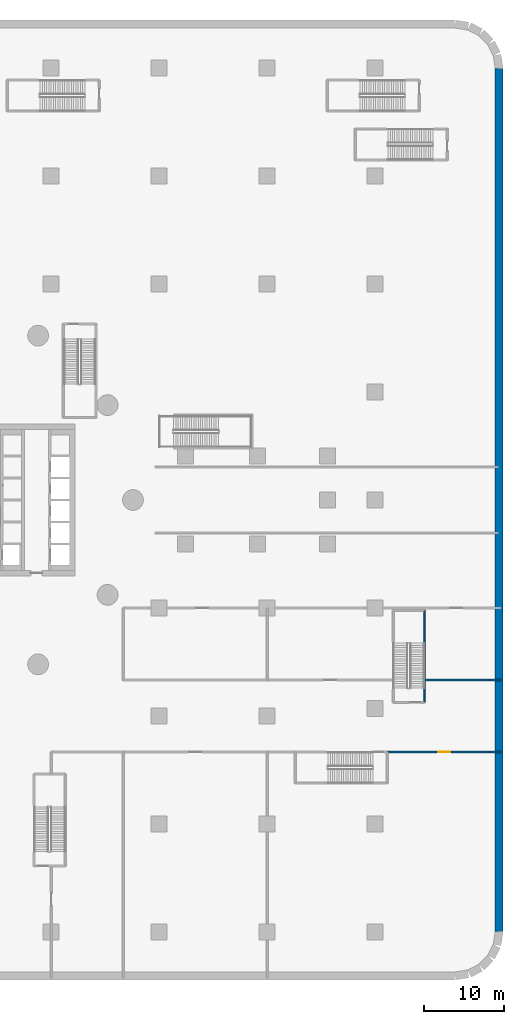
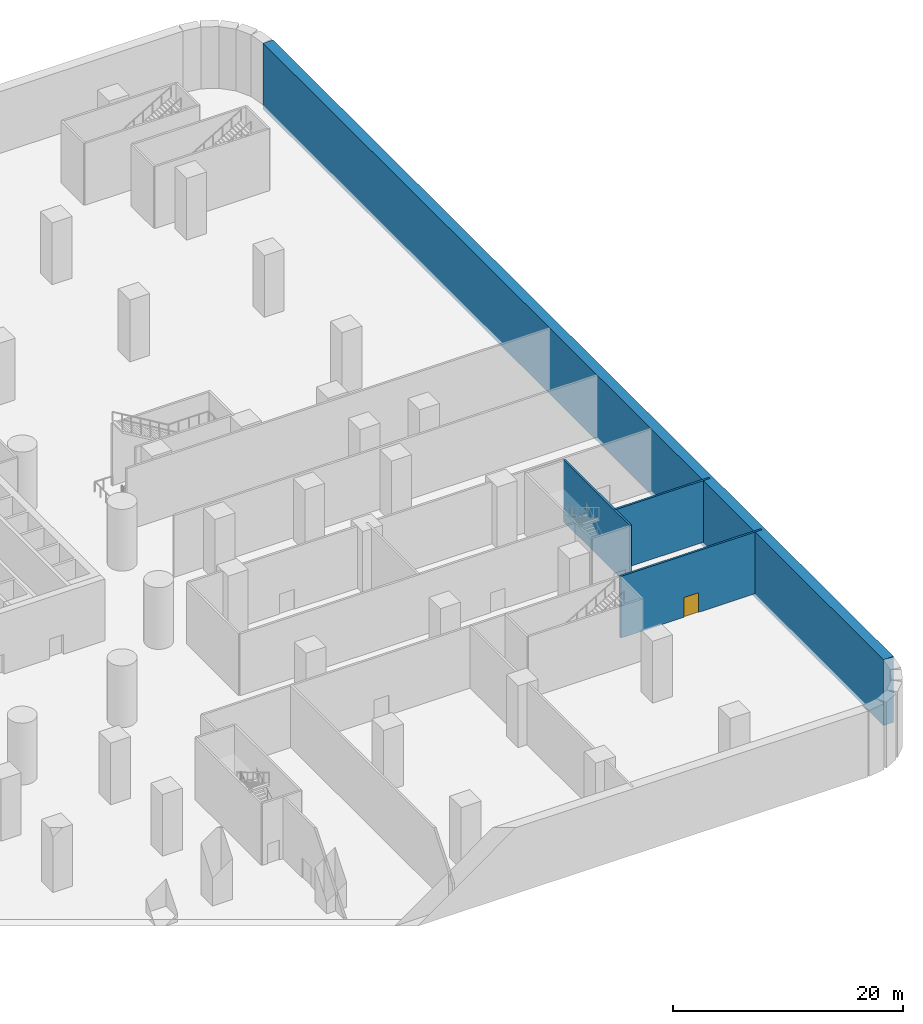
# One storey, part 11 of 30: 4 walls, 1 door, 1 opening.
"""IFC4 building model written with IfcOpenShell, lengths in metres."""

import ifcopenshell
import ifcopenshell.guid

model = None  # the IFC model being written
_history = None  # IfcOwnerHistory: only IFC2X3 demands one
_inside = {}  # id of a spatial element -> (the spatial element, [elements in it])
_under = {}  # id of a project, library or spatial element -> (it, [spatial elements below it])
_declared = {}  # id of a project -> (the project, [libraries it declares])
_typed = {}  # id of a type object -> (the type object, [elements of that type])
_made_of = {}  # id of a material, layer set ... -> (it, [elements and type objects made of it])


def new_model(schema):
    """Start an empty IFC model of exactly this schema.

    Asked for "IFC4X3", IfcOpenShell would pick the latest addendum, in which some entities
    have other attributes; the version numbers below select the first issue.
    IFC2X3 requires an IfcOwnerHistory on every rooted entity: one is made here for all.
    """
    global model, _history
    if schema == "IFC4X3":
        model = ifcopenshell.file(schema_version=(4, 3, 0, 0))
    else:
        model = ifcopenshell.file(schema=schema)
    _inside.clear()
    _under.clear()
    _declared.clear()
    _typed.clear()
    _made_of.clear()
    _history = None
    if model.schema == "IFC2X3":
        org = make("IfcOrganization", Name="unknown")
        user = make(
            "IfcPersonAndOrganization",
            ThePerson=make("IfcPerson", FamilyName="unknown"),
            TheOrganization=org,
        )
        app = make(
            "IfcApplication",
            ApplicationDeveloper=org,
            Version="unknown",
            ApplicationFullName="unknown",
            ApplicationIdentifier="unknown",
        )
        _history = make(
            "IfcOwnerHistory",
            OwningUser=user,
            OwningApplication=app,
            ChangeAction="ADDED",
            CreationDate=0,
        )
    return model


def make(cls, **values):
    """One entity of the class cls with the attributes given. An attribute that is None is left unset."""
    return model.create_entity(
        cls, **{name: value for name, value in values.items() if value is not None}
    )


def rooted(cls, **values):
    """An entity with a GlobalId (a new one), such as an element, a storey or a relation."""
    return make(cls, GlobalId=ifcopenshell.guid.new(), OwnerHistory=_history, **values)


def si_unit(unit_type, name, prefix=None):
    """IfcSIUnit, for example si_unit("LENGTHUNIT", "METRE", prefix="MILLI")."""
    return make("IfcSIUnit", UnitType=unit_type, Prefix=prefix, Name=name)


def assignment(units):
    """IfcUnitAssignment: the units of a project."""
    return None if units is None else make("IfcUnitAssignment", Units=units)


def point(xyz):
    """IfcCartesianPoint."""
    return None if xyz is None else make("IfcCartesianPoint", Coordinates=xyz)


def direction(xyz):
    """IfcDirection."""
    return None if xyz is None else make("IfcDirection", DirectionRatios=xyz)


def frame(location, z_axis=None, x_axis=None):
    """IfcAxis2Placement3D, a coordinate frame: its origin and axes. An axis left out is left unset."""
    return make(
        "IfcAxis2Placement3D",
        Location=point(location),
        Axis=direction(z_axis),
        RefDirection=direction(x_axis),
    )


def frame_2d(location, x_axis=None):
    """IfcAxis2Placement2D, a coordinate frame in the plane: its origin and x axis."""
    return make(
        "IfcAxis2Placement2D", Location=point(location), RefDirection=direction(x_axis)
    )


def origin():
    """The frame at (0, 0, 0) with its axes left unset."""
    return frame((0.0, 0.0, 0.0))


def place(relative_to, where):
    """IfcLocalPlacement: puts the frame where relative to a parent placement (None: the world)."""
    return make(
        "IfcLocalPlacement", PlacementRelTo=relative_to, RelativePlacement=where
    )


def context(
    kind, dimensions, precision=None, world=None, true_north=None, identifier=None
):
    """IfcGeometricRepresentationContext, for example the 3D "Model" context."""
    return make(
        "IfcGeometricRepresentationContext",
        ContextIdentifier=identifier,
        ContextType=kind,
        CoordinateSpaceDimension=dimensions,
        Precision=precision,
        WorldCoordinateSystem=world,
        TrueNorth=true_north,
    )


def subcontext(parent, identifier, kind, view, scale=None):
    """IfcGeometricRepresentationSubContext, for example "Body" below "Model"."""
    return make(
        "IfcGeometricRepresentationSubContext",
        ContextIdentifier=identifier,
        ContextType=kind,
        ParentContext=parent,
        TargetScale=scale,
        TargetView=view,
    )


def project(units=None, contexts=None):
    """IfcProject with its units and contexts."""
    return rooted(
        "IfcProject",
        Name="project",
        RepresentationContexts=contexts,
        UnitsInContext=assignment(units),
    )


def spatial(cls, under=None, at=None, **own):
    """A site, building, storey or space (cls), placed at a placement, below another one or the project."""
    s = rooted(cls, ObjectPlacement=at, **own)
    if under is not None:
        _under.setdefault(under.id(), (under, []))[1].append(s)
    return s


def profile(cls, at=None, kind="AREA", **sizes):
    """A parametric profile (cls). Its sizes go by their IFC names, for example OverallWidth=200.0."""
    return make(cls, ProfileType=kind, Position=at, **sizes)


def rectangle(**sizes):
    """IfcRectangleProfileDef."""
    return profile("IfcRectangleProfileDef", **sizes)


def extrude(swept, where, along, depth):
    """IfcExtrudedAreaSolid: the profile swept, set in the frame where, extruded along a direction by depth."""
    return make(
        "IfcExtrudedAreaSolid",
        SweptArea=swept,
        Position=where,
        ExtrudedDirection=direction(along),
        Depth=depth,
    )


def shape(context_of_items, identifier, shape_type, items):
    """IfcShapeRepresentation: the items that make up one representation, for example the "Body"."""
    return make(
        "IfcShapeRepresentation",
        ContextOfItems=context_of_items,
        RepresentationIdentifier=identifier,
        RepresentationType=shape_type,
        Items=items,
    )


def material(Name=None, Category=None):
    """IfcMaterial."""
    return make("IfcMaterial", Name=Name, Category=Category)


def layer(
    of_material, thickness, ventilated=None, Name=None, Category=None, Priority=None
):
    """IfcMaterialLayer: one layer of a wall or slab, of a material (None: an air gap)."""
    return make(
        "IfcMaterialLayer",
        Material=of_material,
        LayerThickness=thickness,
        IsVentilated=ventilated,
        Name=Name,
        Category=Category,
        Priority=Priority,
    )


def layer_set(layers, Name=None):
    """IfcMaterialLayerSet."""
    return make("IfcMaterialLayerSet", MaterialLayers=layers, LayerSetName=Name)


def made_of(thing, what):
    """Note that an element or type object is made of a material, layer set ...; save() writes the relation."""
    if what is not None:
        _made_of.setdefault(what.id(), (what, []))[1].append(thing)
    return thing


def type_object(cls, material=None, **own):
    """A type object (cls), such as IfcWallType, which elements share."""
    return made_of(rooted(cls, **own), material)


def element(
    cls,
    number,
    at=None,
    inside=None,
    cuts=None,
    type_object=None,
    material=None,
    context=None,
    identifier="Body",
    shape_type=None,
    held_by="IfcProductDefinitionShape",
    body=None,
    shapes=None,
    **own,
):
    """One element of the class cls, such as IfcWall. Its Tag is "e" and its number.

    at: its placement. inside: the storey or other place that contains it. cuts: it is an
    opening in that element (IfcRelVoidsElement). A single representation is given by context,
    identifier, shape_type and body (its items); several are given by shapes. held_by: the class
    of the entity that holds the representations. save() writes the other relations.
    """
    e = rooted(cls, Tag="e%d" % number, ObjectPlacement=at, **own)
    if body is not None:
        shapes = [shape(context, identifier, shape_type, body)]
    if shapes is not None:
        e.Representation = make(held_by, Representations=shapes)
    if inside is not None:
        _inside.setdefault(inside.id(), (inside, []))[1].append(e)
    if cuts is not None:
        rooted(
            "IfcRelVoidsElement", RelatingBuildingElement=cuts, RelatedOpeningElement=e
        )
    if type_object is not None:
        _typed.setdefault(type_object.id(), (type_object, []))[1].append(e)
    return made_of(e, material)


def fill(opening, filler):
    """IfcRelFillsElement: the door or window that sits in an opening."""
    return rooted(
        "IfcRelFillsElement",
        RelatingOpeningElement=opening,
        RelatedBuildingElement=filler,
    )


def aggregate(whole, parts):
    """IfcRelAggregates: a whole, such as a stair, and the parts it consists of."""
    return rooted("IfcRelAggregates", RelatingObject=whole, RelatedObjects=parts)


def save(model, path):
    """Write the relations noted so far, then the file.

    IfcRelAggregates (storeys below a building ...), IfcRelContainedInSpatialStructure (elements
    in a storey), IfcRelDefinesByType, IfcRelAssociatesMaterial and IfcRelDeclares: one each for
    every whole, place, type object, material and project.
    """
    for whole, parts in _under.values():
        aggregate(whole, parts)
    for where, things in _inside.values():
        rooted(
            "IfcRelContainedInSpatialStructure",
            RelatedElements=things,
            RelatingStructure=where,
        )
    for kind, things in _typed.values():
        rooted("IfcRelDefinesByType", RelatedObjects=things, RelatingType=kind)
    for what, things in _made_of.values():
        rooted("IfcRelAssociatesMaterial", RelatedObjects=things, RelatingMaterial=what)
    for by, libraries in _declared.values():
        rooted("IfcRelDeclares", RelatingContext=by, RelatedDefinitions=libraries)
    model.write(path)


model = new_model("IFC4")

# Units and contexts
model_context = context("Model", 3, precision=1e-05, world=origin(), true_north=direction((0.0, 1.0)))
body_context = subcontext(model_context, "Body", "Model", "MODEL_VIEW")
ifc_project = project(units=[si_unit("LENGTHUNIT", "METRE"), si_unit("AREAUNIT", "SQUARE_METRE"), si_unit("VOLUMEUNIT", "CUBIC_METRE"), si_unit("PLANEANGLEUNIT", "RADIAN"), si_unit("MASSUNIT", "GRAM", prefix="KILO")], contexts=[model_context])

# Site, building, storey
site_placement = place(None, origin())
site = spatial("IfcSite", under=ifc_project, at=site_placement, CompositionType="ELEMENT")
building_placement = place(site_placement, origin())
building = spatial("IfcBuilding", under=site, at=building_placement, Name="Tamarind Cross Interchange Tower", CompositionType="ELEMENT")
storey_placement = place(building_placement, frame((0.0, 0.0, -14.0)))
storey = spatial("IfcBuildingStorey", under=building, at=storey_placement, Name="B2", CompositionType="ELEMENT", Elevation=-14.0)

# Wall
ifc_material_1 = material(Name="Concrete C40", Category="concrete")
ifc_layer_1 = layer(ifc_material_1, 1.0)
ifc_layer_set_1 = layer_set([ifc_layer_1], Name="Concrete C40")
wall_type_1 = type_object("IfcWallType", Name="Basement wall 1000 Concrete C40", PredefinedType="SOLIDWALL", material=ifc_layer_set_1)
wall_1_placement = place(storey_placement, frame((69.5, 53.931396484375, -0.449951171875), z_axis=(0.0, 0.0, 1.0), x_axis=(0.0, -1.0, 0.0)))
element("IfcWall", 1, at=wall_1_placement, inside=storey, type_object=wall_type_1, Name="Basement wall B2-19", PredefinedType="SOLIDWALL", context=body_context, shape_type="SweptSolid", body=[
    extrude(rectangle(XDim=107.86279296875, YDim=1.0, at=frame_2d((53.931396484375, 0.0))), origin(), (0.0, 0.0, 1.0), 7.0),
])

# Wall, opening, door
ifc_material_2 = material(Name="Masonry partition, fire-rated", Category="masonry")
ifc_layer_2 = layer(ifc_material_2, 0.199951171875)
ifc_layer_set_2 = layer_set([ifc_layer_2], Name="Masonry partition, fire-rated")
wall_type_2 = type_object("IfcWallType", Name="Fire partition 200 EI 120", PredefinedType="PARTITIONING", material=ifc_layer_set_2)
wall_2_placement = place(storey_placement, frame((55.530029296875, -31.5, 0.0), z_axis=(0.0, 0.0, 1.0), x_axis=(1.0, 0.0, 0.0)))
wall_2 = element("IfcWall", 2, at=wall_2_placement, inside=storey, type_object=wall_type_2, Name="B2 partition 74", PredefinedType="PARTITIONING", context=body_context, shape_type="SweptSolid", body=[
    extrude(rectangle(XDim=14.1689453125, YDim=0.199951171875, at=frame_2d((7.08447265625, 0.0))), origin(), (0.0, 0.0, 1.0), 6.550048828125),
])
opening_placement = place(wall_2_placement, frame((6.320068359375, 0.0, 0.0)))
opening = element("IfcOpeningElement", 3, at=opening_placement, cuts=wall_2, Name="Opening DB2-26", PredefinedType="OPENING", context=body_context, shape_type="SweptSolid", body=[
    extrude(rectangle(XDim=1.5, YDim=2.10009765625, at=frame_2d((0.75, 1.050048828125))), frame((0.0, 0.10986328125, 0.0), z_axis=(0.0, -1.0, 0.0), x_axis=(1.0, 0.0, 0.0)), (0.0, 0.0, 1.0), 0.219970703125),
])
ifc_material_3 = material(Name="Steel, fire-resisting", Category="steel")
door_type = type_object("IfcDoorType", Name="Podium door 1500 x 2100 FD60", OperationType="SINGLE_SWING_LEFT", PredefinedType="DOOR", material=ifc_material_3)
door_placement = place(opening_placement, origin())
door = element("IfcDoor", 4, at=door_placement, inside=storey, type_object=door_type, Name="B2 door Water Tank Room B213", OperationType="SINGLE_SWING_RIGHT", OverallHeight=2.10009765625, OverallWidth=1.5, PredefinedType="DOOR", context=body_context, shape_type="SweptSolid", body=[
    extrude(rectangle(XDim=1.5, YDim=2.10009765625, at=frame_2d((0.75, 1.050048828125))), frame((0.0, 0.02490234375, 0.0), z_axis=(0.0, -1.0, 0.0), x_axis=(1.0, 0.0, 0.0)), (0.0, 0.0, 1.0), 0.050048828125),
])
fill(opening, door)

# Walls
wall_3_placement = place(storey_placement, frame((60.179931640625, -22.5, 0.0), z_axis=(0.0, 0.0, 1.0), x_axis=(1.0, 0.0, 0.0)))
element("IfcWall", 5, at=wall_3_placement, inside=storey, type_object=wall_type_2, Name="B2 partition 75", PredefinedType="PARTITIONING", context=body_context, shape_type="SweptSolid", body=[
    extrude(rectangle(XDim=9.51904296875, YDim=0.199951171875, at=frame_2d((4.759521484375, 0.0))), origin(), (0.0, 0.0, 1.0), 6.550048828125),
])
ifc_layer_3 = layer(ifc_material_1, 0.199951171875)
ifc_layer_set_3 = layer_set([ifc_layer_3], Name="Concrete C40")
wall_type_3 = type_object("IfcWallType", Name="Stair shaft wall 200 EI 180", PredefinedType="PARTITIONING", material=ifc_layer_set_3)
wall_4_placement = place(storey_placement, frame((60.14990234375, -25.300048828125, 0.0), z_axis=(0.0, 0.0, 1.0), x_axis=(0.0, 1.0, 0.0)))
element("IfcWall", 6, at=wall_4_placement, inside=storey, type_object=wall_type_3, Name="B2 stair shaft wall 43", PredefinedType="PARTITIONING", context=body_context, shape_type="SweptSolid", body=[
    extrude(rectangle(XDim=11.5, YDim=0.199951171875, at=frame_2d((5.75, 0.0))), origin(), (0.0, 0.0, 1.0), 6.550048828125),
])

save(model, "model.ifc")
